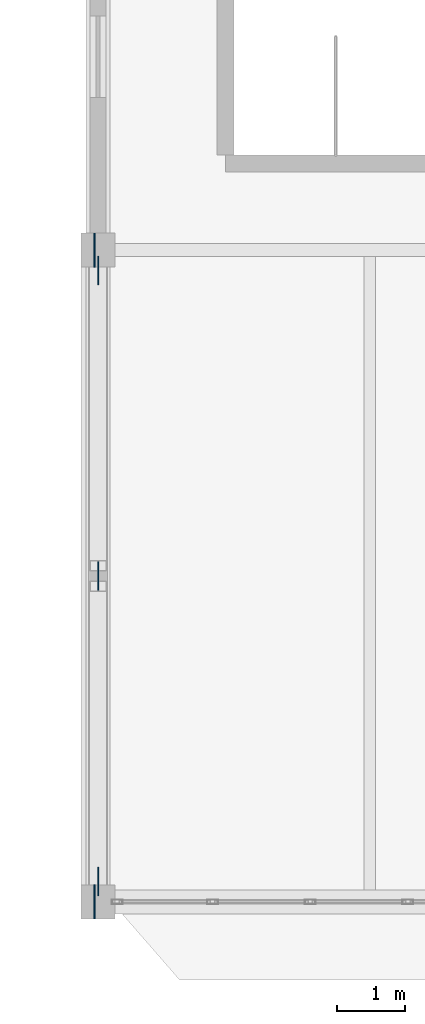
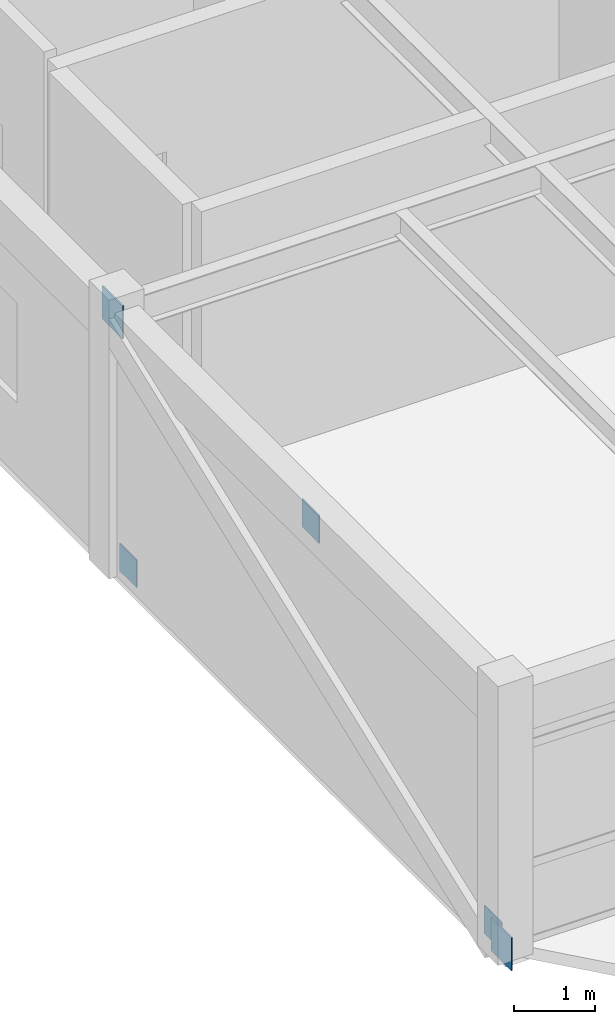
# One storey, part 69 of 83: 5 plates.
"""IFC4 building model written with IfcOpenShell, lengths in metres."""

from ifc_helpers import new_model, si_unit, direction, frame, origin, origin_2d, place, context, subcontext, project, spatial, rectangle, extrude, material, layer, layer_set, type_object, element, save


model = new_model("IFC4")

# Units and contexts
model_context = context("Model", 3, precision=1e-05, world=origin(), true_north=direction((0.0, 1.0)))
body_context = subcontext(model_context, "Body", "Model", "MODEL_VIEW")
ifc_project = project(units=[si_unit("LENGTHUNIT", "METRE"), si_unit("AREAUNIT", "SQUARE_METRE"), si_unit("VOLUMEUNIT", "CUBIC_METRE"), si_unit("PLANEANGLEUNIT", "RADIAN"), si_unit("MASSUNIT", "GRAM", prefix="KILO")], contexts=[model_context])

# Site, building, storey
site_placement = place(None, origin())
site = spatial("IfcSite", under=ifc_project, at=site_placement, CompositionType="ELEMENT")
building_placement = place(site_placement, origin())
building = spatial("IfcBuilding", under=site, at=building_placement, Name="Pandanus Reach Market Hall", CompositionType="ELEMENT")
storey_placement = place(building_placement, frame((0.0, 0.0, 10.199951171875)))
storey = spatial("IfcBuildingStorey", under=building, at=storey_placement, Name="L02", CompositionType="ELEMENT", Elevation=10.199951171875)

# Plates
ifc_material = material(Name="Steel Grade 350 (350 MPa)", Category="steel")
ifc_layer_1 = layer(ifc_material, 0.01611328125, Name="GS-PL16")
ifc_layer_set_1 = layer_set([ifc_layer_1], Name="Steel Grade 350 (350 MPa)")
plate_type_1 = type_object("IfcPlateType", Name="GS-PL16", PredefinedType="SHEET", material=ifc_layer_set_1)
for number, where, z_axis, x_axis, name in (
    (1, (0.0, 0.300048828125, -0.059814453125), (0.0, 0.0, 1.0), (0.0, 1.0, 0.0), "Brace gusset plate GS-PL16 11L"),
    (2, (0.0, 4.800048828125, 3.340087890625), (0.0, 0.0, 1.0), (0.0, 1.0, 0.0), "Brace gusset plate GS-PL16 11M"),
    (3, (0.0, 9.300048828125, -0.059814453125), (0.0, 0.0, 1.0), (0.0, 1.0, 0.0), "Brace gusset plate GS-PL16 11R"),
):
    element("IfcPlate", number, at=place(storey_placement, frame(where, z_axis=z_axis, x_axis=x_axis)), inside=storey, type_object=plate_type_1, Name=name, PredefinedType="SHEET", context=body_context, shape_type="SweptSolid", body=[
        extrude(rectangle(XDim=0.419921875, YDim=0.01611328125, at=origin_2d()), origin(), (0.0, 0.0, 1.0), 0.419921875),
    ])
ifc_layer_2 = layer(ifc_material, 0.02001953125, Name="GS-PL20")
ifc_layer_set_2 = layer_set([ifc_layer_2], Name="Steel Grade 350 (350 MPa)")
plate_type_2 = type_object("IfcPlateType", Name="GS-PL20", PredefinedType="SHEET", material=ifc_layer_set_2)
for number, where, z_axis, x_axis, name in (
    (4, (-0.050048828125, 0.0, -0.14990234375), (0.0, 0.0, 1.0), (1.0, 0.0, 0.0), "Diagrid rib end anchorage plate GS-PL20 14A"),
    (5, (-0.050048828125, 9.60009765625, 3.550048828125), (0.0, 0.0, 1.0), (1.0, 0.0, 0.0), "Diagrid rib end anchorage plate GS-PL20 14B"),
):
    element("IfcPlate", number, at=place(storey_placement, frame(where, z_axis=z_axis, x_axis=x_axis)), inside=storey, type_object=plate_type_2, Name=name, PredefinedType="SHEET", context=body_context, shape_type="SweptSolid", body=[
        extrude(rectangle(XDim=0.02001953125, YDim=0.5, at=origin_2d()), origin(), (0.0, 0.0, 1.0), 0.5),
    ])

save(model, "model.ifc")
